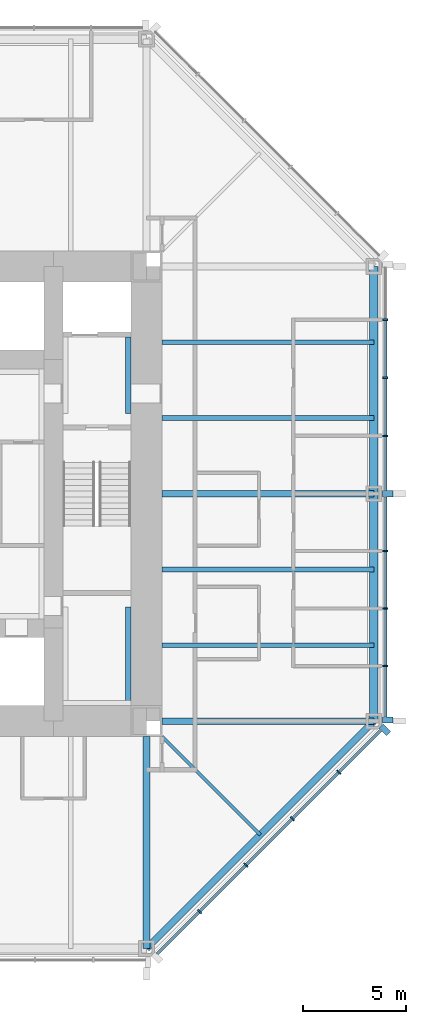
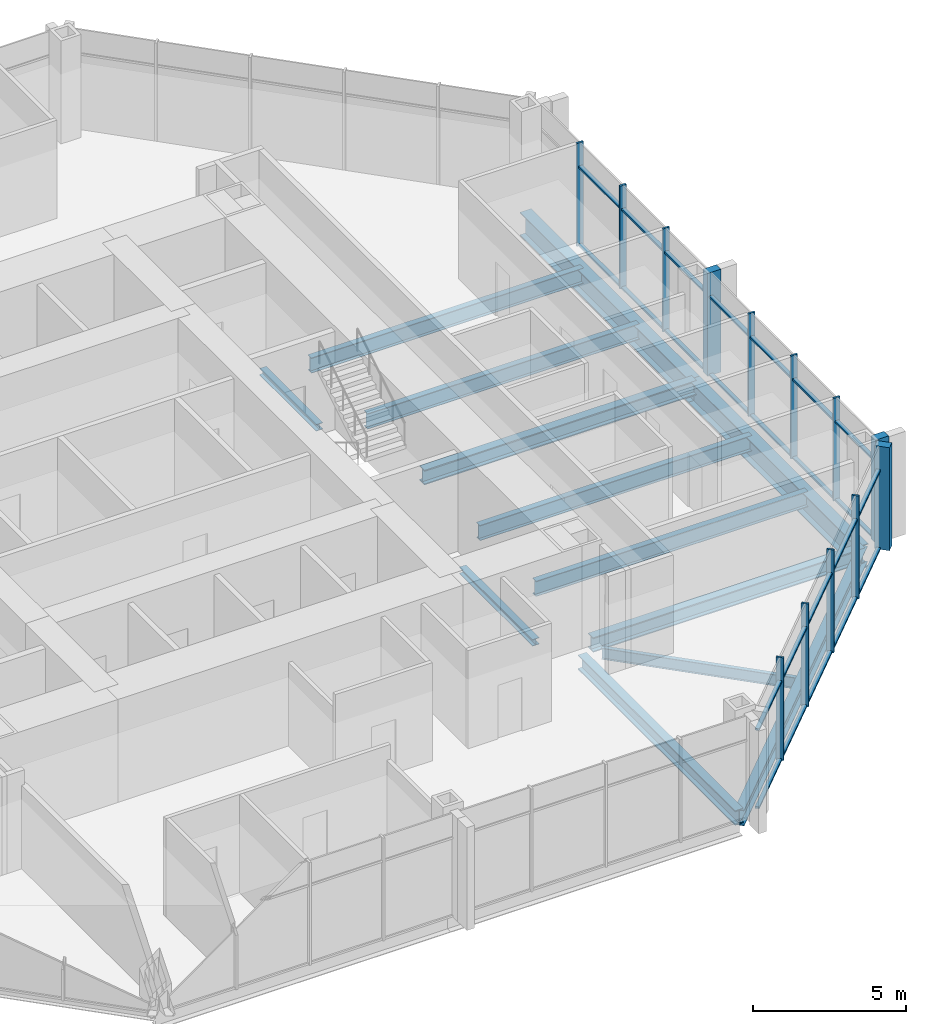
# One storey, part 4 of 12: 37 members, 13 beams, 2 elements without a shape of their own.
"""IFC4 building model written with IfcOpenShell, lengths in metres."""

from ifc_helpers import new_model, si_unit, direction, frame, origin, origin_2d, place, context, subcontext, project, spatial, rectangle, i_section, extrude, material, material_profile, profile_set, type_object, element, aggregate, save


model = new_model("IFC4")

# Units and contexts
model_context = context("Model", 3, precision=1e-05, world=origin(), true_north=direction((0.0, 1.0)))
body_context = subcontext(model_context, "Body", "Model", "MODEL_VIEW")
ifc_project = project(units=[si_unit("LENGTHUNIT", "METRE"), si_unit("AREAUNIT", "SQUARE_METRE"), si_unit("VOLUMEUNIT", "CUBIC_METRE"), si_unit("PLANEANGLEUNIT", "RADIAN"), si_unit("MASSUNIT", "GRAM", prefix="KILO")], contexts=[model_context])

# Site, building, storey
site_placement = place(None, origin())
site = spatial("IfcSite", under=ifc_project, at=site_placement, CompositionType="ELEMENT")
building_placement = place(site_placement, origin())
building = spatial("IfcBuilding", under=site, at=building_placement, Name="Trevanion Tower", CompositionType="ELEMENT")
storey_placement = place(building_placement, frame((0.0, 0.0, 117.199951171875)))
storey = spatial("IfcBuildingStorey", under=building, at=storey_placement, Name="L27", CompositionType="ELEMENT", Elevation=117.199951171875)

# Beams
ifc_material_1 = material(Name="Steel ASTM A992 Grade 50", Category="steel")
ifc_material_profile_1 = material_profile(ifc_material_1, i_section(OverallWidth=0.22900390625, OverallDepth=0.612060546875, WebThickness=0.011962890625, FlangeThickness=0.01953125, at=origin_2d()), Name="W24X84")
ifc_profile_set_1 = profile_set([ifc_material_profile_1], Name="Steel ASTM A992 Grade 50")
beam_type_1 = type_object("IfcBeamType", Name="B7 W24X84", PredefinedType="BEAM", material=ifc_profile_set_1)
for number, where, z_axis, x_axis, name in (
    (1, (11.75, -7.333251953125, -0.49609375), (1.0, 0.0, 0.0), (0.0, 1.0, 0.0), "B7 L27"),
    (2, (11.75, -3.666748046875, -0.49609375), (1.0, 0.0, 0.0), (0.0, 1.0, 0.0), "B7 L27"),
    (3, (11.75, 3.666748046875, -0.49609375), (1.0, 0.0, 0.0), (0.0, 1.0, 0.0), "B7 L27"),
    (4, (11.75, 7.333251953125, -0.49609375), (1.0, 0.0, 0.0), (0.0, 1.0, 0.0), "B7 L27"),
):
    element("IfcBeam", number, at=place(storey_placement, frame(where, z_axis=z_axis, x_axis=x_axis)), inside=storey, type_object=beam_type_1, Name=name, PredefinedType="BEAM", context=body_context, shape_type="SweptSolid", body=[
        extrude(i_section(OverallWidth=0.22900390625, OverallDepth=0.612060546875, WebThickness=0.011962890625, FlangeThickness=0.01953125, at=origin_2d()), origin(), (0.0, 0.0, 1.0), 10.25),
    ])
ifc_material_2 = material(Name="Steel ASTM A992 Grade 50", Category="steel")
ifc_material_profile_2 = material_profile(ifc_material_2, i_section(OverallWidth=0.15234375, OverallDepth=0.449462890625, WebThickness=0.007568359375, FlangeThickness=0.0107421875, at=origin_2d()), Name="W18X35")
ifc_profile_set_2 = profile_set([ifc_material_profile_2], Name="Steel ASTM A992 Grade 50")
beam_type_2 = type_object("IfcBeamType", Name="B8 W18X35", PredefinedType="BEAM", material=ifc_profile_set_2)
beam_1_placement = place(storey_placement, frame((11.75, -11.75, -0.414794921875), z_axis=(0.707106781187, -0.707106781187, 0.0), x_axis=(0.707106781187, 0.707106781187, 0.0)))
element("IfcBeam", 5, at=beam_1_placement, inside=storey, type_object=beam_type_2, Name="B8 L27", PredefinedType="BEAM", context=body_context, shape_type="SweptSolid", body=[
    extrude(i_section(OverallWidth=0.15234375, OverallDepth=0.449462890625, WebThickness=0.007568359375, FlangeThickness=0.0107421875, at=origin_2d()), origin(), (0.0, 0.0, 1.0), 6.717529296875),
])

# Curtain wall, members
ifc_material_3 = material(Name="Aluminium and glass", Category="aluminium")
curtain_wall_type = type_object("IfcCurtainWallType", Name="CW2 curtain wall", PredefinedType="USERDEFINED", material=ifc_material_3)
curtain_wall_1_placement = place(storey_placement, origin())
curtain_wall_1 = element("IfcCurtainWall", 6, at=curtain_wall_1_placement, inside=storey, type_object=curtain_wall_type, Name="CW2 L27 0", ObjectType="UNITISED CURTAIN WALL", PredefinedType="USERDEFINED")
ifc_material_4 = material(Name="Aluminium extrusion, anodised bronze", Category="aluminium")
ifc_material_profile_3 = material_profile(ifc_material_4, rectangle(XDim=0.074951171875, YDim=0.25, at=origin_2d()), Name="CW2 mullion")
ifc_profile_set_3 = profile_set([ifc_material_profile_3], Name="Aluminium extrusion, anodised bronze")
member_type_1 = type_object("IfcMemberType", Name="CW2 mullion", PredefinedType="MULLION", material=ifc_profile_set_3)
member_1_placement = place(storey_placement, frame((22.550048828125, -8.323486328125, -0.18994140625), z_axis=(0.0, 0.0, 1.0), x_axis=(0.0, 1.0, 0.0)))
member_1 = element("IfcMember", 7, at=member_1_placement, type_object=member_type_1, Name="CW2 mullion 2", PredefinedType="MULLION", context=body_context, shape_type="SweptSolid", body=[
    extrude(rectangle(XDim=0.074951171875, YDim=0.25, at=origin_2d()), origin(), (0.0, 0.0, 1.0), 4.10009765625),
])
member_2_placement = place(storey_placement, frame((22.550048828125, -5.548828125, -0.18994140625), z_axis=(0.0, 0.0, 1.0), x_axis=(0.0, 1.0, 0.0)))
member_2 = element("IfcMember", 8, at=member_2_placement, type_object=member_type_1, Name="CW2 mullion 3", PredefinedType="MULLION", context=body_context, shape_type="SweptSolid", body=[
    extrude(rectangle(XDim=0.074951171875, YDim=0.25, at=origin_2d()), origin(), (0.0, 0.0, 1.0), 4.10009765625),
])
member_3_placement = place(storey_placement, frame((22.550048828125, -2.7744140625, -0.18994140625), z_axis=(0.0, 0.0, 1.0), x_axis=(0.0, 1.0, 0.0)))
member_3 = element("IfcMember", 9, at=member_3_placement, type_object=member_type_1, Name="CW2 mullion 4", PredefinedType="MULLION", context=body_context, shape_type="SweptSolid", body=[
    extrude(rectangle(XDim=0.074951171875, YDim=0.25, at=origin_2d()), origin(), (0.0, 0.0, 1.0), 4.10009765625),
])
member_4_placement = place(storey_placement, frame((22.550048828125, 2.806884765625, -0.18994140625), z_axis=(0.0, 0.0, 1.0), x_axis=(0.0, 1.0, 0.0)))
member_4 = element("IfcMember", 10, at=member_4_placement, type_object=member_type_1, Name="CW2 mullion 6", PredefinedType="MULLION", context=body_context, shape_type="SweptSolid", body=[
    extrude(rectangle(XDim=0.074951171875, YDim=0.25, at=origin_2d()), origin(), (0.0, 0.0, 1.0), 4.10009765625),
])
member_5_placement = place(storey_placement, frame((22.550048828125, 5.614013671875, -0.18994140625), z_axis=(0.0, 0.0, 1.0), x_axis=(0.0, 1.0, 0.0)))
member_5 = element("IfcMember", 11, at=member_5_placement, type_object=member_type_1, Name="CW2 mullion 7", PredefinedType="MULLION", context=body_context, shape_type="SweptSolid", body=[
    extrude(rectangle(XDim=0.074951171875, YDim=0.25, at=origin_2d()), origin(), (0.0, 0.0, 1.0), 4.10009765625),
])
member_6_placement = place(storey_placement, frame((22.550048828125, 8.4208984375, -0.18994140625), z_axis=(0.0, 0.0, 1.0), x_axis=(0.0, 1.0, 0.0)))
member_6 = element("IfcMember", 12, at=member_6_placement, type_object=member_type_1, Name="CW2 mullion 8", PredefinedType="MULLION", context=body_context, shape_type="SweptSolid", body=[
    extrude(rectangle(XDim=0.074951171875, YDim=0.25, at=origin_2d()), origin(), (0.0, 0.0, 1.0), 4.10009765625),
])

curtain_wall_2_placement = place(storey_placement, origin())
curtain_wall_2 = element("IfcCurtainWall", 13, at=curtain_wall_2_placement, inside=storey, type_object=curtain_wall_type, Name="CW2 L27 7", ObjectType="UNITISED CURTAIN WALL", PredefinedType="USERDEFINED")
member_7_placement = place(storey_placement, frame((13.56591796875, -20.2119140625, -0.18994140625), z_axis=(0.0, 0.0, 1.0), x_axis=(0.707106781187, 0.707106781187, 0.0)))
member_7 = element("IfcMember", 14, at=member_7_placement, type_object=member_type_1, Name="CW2 mullion 2", PredefinedType="MULLION", context=body_context, shape_type="SweptSolid", body=[
    extrude(rectangle(XDim=0.074951171875, YDim=0.25, at=origin_2d()), origin(), (0.0, 0.0, 1.0), 4.10009765625),
])
member_8_placement = place(storey_placement, frame((15.811767578125, -17.966064453125, -0.18994140625), z_axis=(0.0, 0.0, 1.0), x_axis=(0.707106781187, 0.707106781187, 0.0)))
member_8 = element("IfcMember", 15, at=member_8_placement, type_object=member_type_1, Name="CW2 mullion 3", PredefinedType="MULLION", context=body_context, shape_type="SweptSolid", body=[
    extrude(rectangle(XDim=0.074951171875, YDim=0.25, at=origin_2d()), origin(), (0.0, 0.0, 1.0), 4.10009765625),
])
member_9_placement = place(storey_placement, frame((18.057861328125, -15.719970703125, -0.18994140625), z_axis=(0.0, 0.0, 1.0), x_axis=(0.707106781187, 0.707106781187, 0.0)))
member_9 = element("IfcMember", 16, at=member_9_placement, type_object=member_type_1, Name="CW2 mullion 4", PredefinedType="MULLION", context=body_context, shape_type="SweptSolid", body=[
    extrude(rectangle(XDim=0.074951171875, YDim=0.25, at=origin_2d()), origin(), (0.0, 0.0, 1.0), 4.10009765625),
])
member_10_placement = place(storey_placement, frame((20.303955078125, -13.473876953125, -0.18994140625), z_axis=(0.0, 0.0, 1.0), x_axis=(0.707106781187, 0.707106781187, 0.0)))
member_10 = element("IfcMember", 17, at=member_10_placement, type_object=member_type_1, Name="CW2 mullion 5", PredefinedType="MULLION", context=body_context, shape_type="SweptSolid", body=[
    extrude(rectangle(XDim=0.074951171875, YDim=0.25, at=origin_2d()), origin(), (0.0, 0.0, 1.0), 4.10009765625),
])

# Member
ifc_material_5 = material(Name="Aluminium extrusion, anodised bronze", Category="aluminium")
ifc_material_profile_4 = material_profile(ifc_material_5, rectangle(XDim=0.300048828125, YDim=0.5, at=origin_2d()), Name="CW2 pier mullion")
ifc_profile_set_4 = profile_set([ifc_material_profile_4], Name="Aluminium extrusion, anodised bronze")
member_type_2 = type_object("IfcMemberType", Name="CW2 pier mullion", PredefinedType="MULLION", material=ifc_profile_set_4)
member_11_placement = place(storey_placement, frame((22.675048828125, -10.94775390625, -0.18994140625), z_axis=(0.0, 0.0, 1.0), x_axis=(0.0, 1.0, 0.0)))
member_11 = element("IfcMember", 18, at=member_11_placement, type_object=member_type_2, Name="CW2 pier mullion 1", PredefinedType="MULLION", context=body_context, shape_type="SweptSolid", body=[
    extrude(rectangle(XDim=0.300048828125, YDim=0.5, at=origin_2d()), origin(), (0.0, 0.0, 1.0), 4.10009765625),
])

member_12_placement = place(storey_placement, frame((22.675048828125, 0.0, -0.18994140625), z_axis=(0.0, 0.0, 1.0), x_axis=(0.0, 1.0, 0.0)))
member_12 = element("IfcMember", 19, at=member_12_placement, type_object=member_type_2, Name="CW2 pier mullion 5", PredefinedType="MULLION", context=body_context, shape_type="SweptSolid", body=[
    extrude(rectangle(XDim=0.300048828125, YDim=0.5, at=origin_2d()), origin(), (0.0, 0.0, 1.0), 4.10009765625),
])

member_13_placement = place(storey_placement, frame((22.5322265625, -11.42236328125, -0.18994140625), z_axis=(0.0, 0.0, 1.0), x_axis=(0.707106781187, 0.707106781187, 0.0)))
member_13 = element("IfcMember", 20, at=member_13_placement, type_object=member_type_2, Name="CW2 pier mullion 6", PredefinedType="MULLION", context=body_context, shape_type="SweptSolid", body=[
    extrude(rectangle(XDim=0.300048828125, YDim=0.5, at=origin_2d()), origin(), (0.0, 0.0, 1.0), 4.10009765625),
])

ifc_material_6 = material(Name="Aluminium extrusion, anodised bronze", Category="aluminium")
ifc_material_profile_5 = material_profile(ifc_material_6, rectangle(XDim=0.14990234375, YDim=0.074951171875, at=origin_2d()), Name="CW2 transom")
ifc_profile_set_5 = profile_set([ifc_material_profile_5], Name="Aluminium extrusion, anodised bronze")
member_type_3 = type_object("IfcMemberType", Name="CW2 transom", PredefinedType="USERDEFINED", material=ifc_profile_set_5)
member_14_placement = place(storey_placement, frame((22.550048828125, -10.7978515625, -0.15234375), z_axis=(0.0, 1.0, 0.0), x_axis=(-1.0, 0.0, 0.0)))
member_14 = element("IfcMember", 21, at=member_14_placement, type_object=member_type_3, Name="CW2 transom 1.1", ObjectType="TRANSOM", PredefinedType="USERDEFINED", context=body_context, shape_type="SweptSolid", body=[
    extrude(rectangle(XDim=0.14990234375, YDim=0.074951171875, at=origin_2d()), origin(), (0.0, 0.0, 1.0), 2.43701171875),
])

member_15_placement = place(storey_placement, frame((22.550048828125, -10.7978515625, 2.9599609375), z_axis=(0.0, 1.0, 0.0), x_axis=(-1.0, 0.0, 0.0)))
member_15 = element("IfcMember", 22, at=member_15_placement, type_object=member_type_3, Name="CW2 transom 1.2", ObjectType="TRANSOM", PredefinedType="USERDEFINED", context=body_context, shape_type="SweptSolid", body=[
    extrude(rectangle(XDim=0.14990234375, YDim=0.074951171875, at=origin_2d()), origin(), (0.0, 0.0, 1.0), 2.43701171875),
])

member_16_placement = place(storey_placement, frame((22.550048828125, -8.285888671875, -0.15234375), z_axis=(0.0, 1.0, 0.0), x_axis=(-1.0, 0.0, 0.0)))
member_16 = element("IfcMember", 23, at=member_16_placement, type_object=member_type_3, Name="CW2 transom 2.1", ObjectType="TRANSOM", PredefinedType="USERDEFINED", context=body_context, shape_type="SweptSolid", body=[
    extrude(rectangle(XDim=0.14990234375, YDim=0.074951171875, at=origin_2d()), origin(), (0.0, 0.0, 1.0), 2.699462890625),
])

member_17_placement = place(storey_placement, frame((22.550048828125, -8.285888671875, 2.9599609375), z_axis=(0.0, 1.0, 0.0), x_axis=(-1.0, 0.0, 0.0)))
member_17 = element("IfcMember", 24, at=member_17_placement, type_object=member_type_3, Name="CW2 transom 2.2", ObjectType="TRANSOM", PredefinedType="USERDEFINED", context=body_context, shape_type="SweptSolid", body=[
    extrude(rectangle(XDim=0.14990234375, YDim=0.074951171875, at=origin_2d()), origin(), (0.0, 0.0, 1.0), 2.699462890625),
])

member_18_placement = place(storey_placement, frame((22.550048828125, -5.511474609375, -0.15234375), z_axis=(0.0, 1.0, 0.0), x_axis=(-1.0, 0.0, 0.0)))
member_18 = element("IfcMember", 25, at=member_18_placement, type_object=member_type_3, Name="CW2 transom 3.1", ObjectType="TRANSOM", PredefinedType="USERDEFINED", context=body_context, shape_type="SweptSolid", body=[
    extrude(rectangle(XDim=0.14990234375, YDim=0.074951171875, at=origin_2d()), origin(), (0.0, 0.0, 1.0), 2.699462890625),
])

member_19_placement = place(storey_placement, frame((22.550048828125, -5.511474609375, 2.9599609375), z_axis=(0.0, 1.0, 0.0), x_axis=(-1.0, 0.0, 0.0)))
member_19 = element("IfcMember", 26, at=member_19_placement, type_object=member_type_3, Name="CW2 transom 3.2", ObjectType="TRANSOM", PredefinedType="USERDEFINED", context=body_context, shape_type="SweptSolid", body=[
    extrude(rectangle(XDim=0.14990234375, YDim=0.074951171875, at=origin_2d()), origin(), (0.0, 0.0, 1.0), 2.699462890625),
])

member_20_placement = place(storey_placement, frame((22.550048828125, -2.737060546875, -0.15234375), z_axis=(0.0, 1.0, 0.0), x_axis=(-1.0, 0.0, 0.0)))
member_20 = element("IfcMember", 27, at=member_20_placement, type_object=member_type_3, Name="CW2 transom 4.1", ObjectType="TRANSOM", PredefinedType="USERDEFINED", context=body_context, shape_type="SweptSolid", body=[
    extrude(rectangle(XDim=0.14990234375, YDim=0.074951171875, at=origin_2d()), origin(), (0.0, 0.0, 1.0), 2.587158203125),
])

member_21_placement = place(storey_placement, frame((22.550048828125, -2.737060546875, 2.9599609375), z_axis=(0.0, 1.0, 0.0), x_axis=(-1.0, 0.0, 0.0)))
member_21 = element("IfcMember", 28, at=member_21_placement, type_object=member_type_3, Name="CW2 transom 4.2", ObjectType="TRANSOM", PredefinedType="USERDEFINED", context=body_context, shape_type="SweptSolid", body=[
    extrude(rectangle(XDim=0.14990234375, YDim=0.074951171875, at=origin_2d()), origin(), (0.0, 0.0, 1.0), 2.587158203125),
])

member_22_placement = place(storey_placement, frame((22.550048828125, 0.14990234375, -0.15234375), z_axis=(0.0, 1.0, 0.0), x_axis=(-1.0, 0.0, 0.0)))
member_22 = element("IfcMember", 29, at=member_22_placement, type_object=member_type_3, Name="CW2 transom 5.1", ObjectType="TRANSOM", PredefinedType="USERDEFINED", context=body_context, shape_type="SweptSolid", body=[
    extrude(rectangle(XDim=0.14990234375, YDim=0.074951171875, at=origin_2d()), origin(), (0.0, 0.0, 1.0), 2.619384765625),
])

member_23_placement = place(storey_placement, frame((22.550048828125, 0.14990234375, 2.9599609375), z_axis=(0.0, 1.0, 0.0), x_axis=(-1.0, 0.0, 0.0)))
member_23 = element("IfcMember", 30, at=member_23_placement, type_object=member_type_3, Name="CW2 transom 5.2", ObjectType="TRANSOM", PredefinedType="USERDEFINED", context=body_context, shape_type="SweptSolid", body=[
    extrude(rectangle(XDim=0.14990234375, YDim=0.074951171875, at=origin_2d()), origin(), (0.0, 0.0, 1.0), 2.619384765625),
])

member_24_placement = place(storey_placement, frame((22.550048828125, 2.844482421875, -0.15234375), z_axis=(0.0, 1.0, 0.0), x_axis=(-1.0, 0.0, 0.0)))
member_24 = element("IfcMember", 31, at=member_24_placement, type_object=member_type_3, Name="CW2 transom 6.1", ObjectType="TRANSOM", PredefinedType="USERDEFINED", context=body_context, shape_type="SweptSolid", body=[
    extrude(rectangle(XDim=0.14990234375, YDim=0.074951171875, at=origin_2d()), origin(), (0.0, 0.0, 1.0), 2.73193359375),
])

member_25_placement = place(storey_placement, frame((22.550048828125, 2.844482421875, 2.9599609375), z_axis=(0.0, 1.0, 0.0), x_axis=(-1.0, 0.0, 0.0)))
member_25 = element("IfcMember", 32, at=member_25_placement, type_object=member_type_3, Name="CW2 transom 6.2", ObjectType="TRANSOM", PredefinedType="USERDEFINED", context=body_context, shape_type="SweptSolid", body=[
    extrude(rectangle(XDim=0.14990234375, YDim=0.074951171875, at=origin_2d()), origin(), (0.0, 0.0, 1.0), 2.73193359375),
])

member_26_placement = place(storey_placement, frame((22.550048828125, 5.6513671875, -0.15234375), z_axis=(0.0, 1.0, 0.0), x_axis=(-1.0, 0.0, 0.0)))
member_26 = element("IfcMember", 33, at=member_26_placement, type_object=member_type_3, Name="CW2 transom 7.1", ObjectType="TRANSOM", PredefinedType="USERDEFINED", context=body_context, shape_type="SweptSolid", body=[
    extrude(rectangle(XDim=0.14990234375, YDim=0.074951171875, at=origin_2d()), origin(), (0.0, 0.0, 1.0), 2.73193359375),
])

member_27_placement = place(storey_placement, frame((22.550048828125, 5.6513671875, 2.9599609375), z_axis=(0.0, 1.0, 0.0), x_axis=(-1.0, 0.0, 0.0)))
member_27 = element("IfcMember", 34, at=member_27_placement, type_object=member_type_3, Name="CW2 transom 7.2", ObjectType="TRANSOM", PredefinedType="USERDEFINED", context=body_context, shape_type="SweptSolid", body=[
    extrude(rectangle(XDim=0.14990234375, YDim=0.074951171875, at=origin_2d()), origin(), (0.0, 0.0, 1.0), 2.73193359375),
])

aggregate(curtain_wall_1, [member_11, member_1, member_2, member_3, member_12, member_4, member_5, member_6, member_14, member_15, member_16, member_17, member_18, member_19, member_20, member_21, member_22, member_23, member_24, member_25, member_26, member_27])

member_28_placement = place(storey_placement, frame((11.531982421875, -22.245849609375, -0.15234375), z_axis=(0.707106781187, 0.707106781187, 0.0), x_axis=(-0.707106781187, 0.707106781187, 0.0)))
member_28 = element("IfcMember", 35, at=member_28_placement, type_object=member_type_3, Name="CW2 transom 1.1", ObjectType="TRANSOM", PredefinedType="USERDEFINED", context=body_context, shape_type="SweptSolid", body=[
    extrude(rectangle(XDim=0.14990234375, YDim=0.074951171875, at=origin_2d()), origin(), (0.0, 0.0, 1.0), 2.8388671875),
])

member_29_placement = place(storey_placement, frame((11.531982421875, -22.245849609375, 2.9599609375), z_axis=(0.707106781187, 0.707106781187, 0.0), x_axis=(-0.707106781187, 0.707106781187, 0.0)))
member_29 = element("IfcMember", 36, at=member_29_placement, type_object=member_type_3, Name="CW2 transom 1.2", ObjectType="TRANSOM", PredefinedType="USERDEFINED", context=body_context, shape_type="SweptSolid", body=[
    extrude(rectangle(XDim=0.14990234375, YDim=0.074951171875, at=origin_2d()), origin(), (0.0, 0.0, 1.0), 2.8388671875),
])

member_30_placement = place(storey_placement, frame((13.59228515625, -20.185546875, -0.15234375), z_axis=(0.707106781187, 0.707106781187, 0.0), x_axis=(-0.707106781187, 0.707106781187, 0.0)))
member_30 = element("IfcMember", 37, at=member_30_placement, type_object=member_type_3, Name="CW2 transom 2.1", ObjectType="TRANSOM", PredefinedType="USERDEFINED", context=body_context, shape_type="SweptSolid", body=[
    extrude(rectangle(XDim=0.14990234375, YDim=0.074951171875, at=origin_2d()), origin(), (0.0, 0.0, 1.0), 3.1015625),
])

member_31_placement = place(storey_placement, frame((13.59228515625, -20.185546875, 2.9599609375), z_axis=(0.707106781187, 0.707106781187, 0.0), x_axis=(-0.707106781187, 0.707106781187, 0.0)))
member_31 = element("IfcMember", 38, at=member_31_placement, type_object=member_type_3, Name="CW2 transom 2.2", ObjectType="TRANSOM", PredefinedType="USERDEFINED", context=body_context, shape_type="SweptSolid", body=[
    extrude(rectangle(XDim=0.14990234375, YDim=0.074951171875, at=origin_2d()), origin(), (0.0, 0.0, 1.0), 3.1015625),
])

member_32_placement = place(storey_placement, frame((15.83837890625, -17.939453125, -0.15234375), z_axis=(0.707106781187, 0.707106781187, 0.0), x_axis=(-0.707106781187, 0.707106781187, 0.0)))
member_32 = element("IfcMember", 39, at=member_32_placement, type_object=member_type_3, Name="CW2 transom 3.1", ObjectType="TRANSOM", PredefinedType="USERDEFINED", context=body_context, shape_type="SweptSolid", body=[
    extrude(rectangle(XDim=0.14990234375, YDim=0.074951171875, at=origin_2d()), origin(), (0.0, 0.0, 1.0), 3.1015625),
])

member_33_placement = place(storey_placement, frame((15.83837890625, -17.939453125, 2.9599609375), z_axis=(0.707106781187, 0.707106781187, 0.0), x_axis=(-0.707106781187, 0.707106781187, 0.0)))
member_33 = element("IfcMember", 40, at=member_33_placement, type_object=member_type_3, Name="CW2 transom 3.2", ObjectType="TRANSOM", PredefinedType="USERDEFINED", context=body_context, shape_type="SweptSolid", body=[
    extrude(rectangle(XDim=0.14990234375, YDim=0.074951171875, at=origin_2d()), origin(), (0.0, 0.0, 1.0), 3.1015625),
])

member_34_placement = place(storey_placement, frame((18.08447265625, -15.693359375, -0.15234375), z_axis=(0.707106781187, 0.707106781187, 0.0), x_axis=(-0.707106781187, 0.707106781187, 0.0)))
member_34 = element("IfcMember", 41, at=member_34_placement, type_object=member_type_3, Name="CW2 transom 4.1", ObjectType="TRANSOM", PredefinedType="USERDEFINED", context=body_context, shape_type="SweptSolid", body=[
    extrude(rectangle(XDim=0.14990234375, YDim=0.074951171875, at=origin_2d()), origin(), (0.0, 0.0, 1.0), 3.10107421875),
])

member_35_placement = place(storey_placement, frame((18.08447265625, -15.693359375, 2.9599609375), z_axis=(0.707106781187, 0.707106781187, 0.0), x_axis=(-0.707106781187, 0.707106781187, 0.0)))
member_35 = element("IfcMember", 42, at=member_35_placement, type_object=member_type_3, Name="CW2 transom 4.2", ObjectType="TRANSOM", PredefinedType="USERDEFINED", context=body_context, shape_type="SweptSolid", body=[
    extrude(rectangle(XDim=0.14990234375, YDim=0.074951171875, at=origin_2d()), origin(), (0.0, 0.0, 1.0), 3.10107421875),
])

member_36_placement = place(storey_placement, frame((20.33056640625, -13.447509765625, -0.15234375), z_axis=(0.707063781595, 0.707149778163, 0.0), x_axis=(-0.707149778163, 0.707063781595, 0.0)))
member_36 = element("IfcMember", 43, at=member_36_placement, type_object=member_type_3, Name="CW2 transom 5.1", ObjectType="TRANSOM", PredefinedType="USERDEFINED", context=body_context, shape_type="SweptSolid", body=[
    extrude(rectangle(XDim=0.14990234375, YDim=0.074951171875, at=origin_2d()), origin(), (0.0, 0.0, 1.0), 2.8388671875),
])

member_37_placement = place(storey_placement, frame((20.33056640625, -13.447509765625, 2.9599609375), z_axis=(0.707063781595, 0.707149778163, 0.0), x_axis=(-0.707149778163, 0.707063781595, 0.0)))
member_37 = element("IfcMember", 44, at=member_37_placement, type_object=member_type_3, Name="CW2 transom 5.2", ObjectType="TRANSOM", PredefinedType="USERDEFINED", context=body_context, shape_type="SweptSolid", body=[
    extrude(rectangle(XDim=0.14990234375, YDim=0.074951171875, at=origin_2d()), origin(), (0.0, 0.0, 1.0), 2.8388671875),
])

aggregate(curtain_wall_2, [member_7, member_8, member_9, member_10, member_13, member_28, member_29, member_30, member_31, member_32, member_33, member_34, member_35, member_36, member_37])

# Beams
ifc_material_7 = material(Name="Steel ASTM A992 Grade 50", Category="steel")
ifc_material_profile_6 = material_profile(ifc_material_7, i_section(OverallWidth=0.320068359375, OverallDepth=0.584228515625, WebThickness=0.023193359375, FlangeThickness=0.04150390625, at=origin_2d()), Name="W21X201")
ifc_profile_set_6 = profile_set([ifc_material_profile_6], Name="Steel ASTM A992 Grade 50")
beam_type_3 = type_object("IfcBeamType", Name="G4 W21X201", PredefinedType="BEAM", material=ifc_profile_set_6)
for number, where, z_axis, x_axis, name in (
    (45, (11.75, -11.0, -0.48193359375), (1.0, 0.0, 0.0), (0.0, 1.0, 0.0), "G4 L27"),
    (46, (11.75, 0.0, -0.48193359375), (1.0, 0.0, 0.0), (0.0, 1.0, 0.0), "G4 L27"),
    (47, (11.0, -11.75, -0.48193359375), (0.0, -1.0, 0.0), (1.0, 0.0, 0.0), "G4 L27"),
):
    element("IfcBeam", number, at=place(storey_placement, frame(where, z_axis=z_axis, x_axis=x_axis)), inside=storey, type_object=beam_type_3, Name=name, PredefinedType="BEAM", context=body_context, shape_type="SweptSolid", body=[
        extrude(i_section(OverallWidth=0.320068359375, OverallDepth=0.584228515625, WebThickness=0.023193359375, FlangeThickness=0.04150390625, at=origin_2d()), origin(), (0.0, 0.0, 1.0), 10.25),
    ])
ifc_material_8 = material(Name="Steel ASTM A992 Grade 50", Category="steel")
ifc_material_profile_7 = material_profile(ifc_material_8, i_section(OverallWidth=0.256591796875, OverallDepth=0.26416015625, WebThickness=0.011962890625, FlangeThickness=0.01953125, at=origin_2d()), Name="W10X68")
ifc_profile_set_7 = profile_set([ifc_material_profile_7], Name="Steel ASTM A992 Grade 50")
beam_type_4 = type_object("IfcBeamType", Name="LB1 W10X68", PredefinedType="BEAM", material=ifc_profile_set_7)
beam_2_placement = place(storey_placement, frame((10.12158203125, 3.875, -0.33203125), z_axis=(0.0, 1.0, 0.0), x_axis=(-1.0, 0.0, 0.0)))
element("IfcBeam", 48, at=beam_2_placement, inside=storey, type_object=beam_type_4, Name="LB1 L27", PredefinedType="BEAM", context=body_context, shape_type="SweptSolid", body=[
    extrude(i_section(OverallWidth=0.256591796875, OverallDepth=0.26416015625, WebThickness=0.011962890625, FlangeThickness=0.01953125, at=origin_2d()), origin(), (0.0, 0.0, 1.0), 3.699951171875),
])
beam_3_placement = place(storey_placement, frame((10.12158203125, -10.25, -0.33203125), z_axis=(0.0, 1.0, 0.0), x_axis=(-1.0, 0.0, 0.0)))
element("IfcBeam", 49, at=beam_3_placement, inside=storey, type_object=beam_type_4, Name="LB1 L27", PredefinedType="BEAM", context=body_context, shape_type="SweptSolid", body=[
    extrude(i_section(OverallWidth=0.256591796875, OverallDepth=0.26416015625, WebThickness=0.011962890625, FlangeThickness=0.01953125, at=origin_2d()), origin(), (0.0, 0.0, 1.0), 4.77490234375),
])
ifc_material_9 = material(Name="Steel ASTM A992 Grade 50", Category="steel")
ifc_material_profile_8 = material_profile(ifc_material_9, i_section(OverallWidth=0.419189453125, OverallDepth=0.927001953125, WebThickness=0.019287109375, FlangeThickness=0.031982421875, at=origin_2d()), Name="W36X231")
ifc_profile_set_8 = profile_set([ifc_material_profile_8], Name="Steel ASTM A992 Grade 50")
beam_type_5 = type_object("IfcBeamType", Name="SB4 W36X231", PredefinedType="SPANDREL", material=ifc_profile_set_8)
for number, where, z_axis, x_axis, name in (
    (50, (22.0, -11.0, -0.653564453125), (0.0, 1.0, 0.0), (-1.0, 0.0, 0.0), "SB4 L27"),
    (51, (22.0, 0.0, -0.653564453125), (0.0, 1.0, 0.0), (-1.0, 0.0, 0.0), "SB4 L27"),
):
    element("IfcBeam", number, at=place(storey_placement, frame(where, z_axis=z_axis, x_axis=x_axis)), inside=storey, type_object=beam_type_5, Name=name, PredefinedType="SPANDREL", context=body_context, shape_type="SweptSolid", body=[
        extrude(i_section(OverallWidth=0.419189453125, OverallDepth=0.927001953125, WebThickness=0.019287109375, FlangeThickness=0.031982421875, at=origin_2d()), origin(), (0.0, 0.0, 1.0), 11.0),
    ])
ifc_material_10 = material(Name="Steel ASTM A992 Grade 50", Category="steel")
ifc_material_profile_9 = material_profile(ifc_material_10, i_section(OverallWidth=0.32763671875, OverallDepth=0.62744140625, WebThickness=0.0166015625, FlangeThickness=0.027587890625, at=origin_2d()), Name="W24X146")
ifc_profile_set_9 = profile_set([ifc_material_profile_9], Name="Steel ASTM A992 Grade 50")
beam_type_6 = type_object("IfcBeamType", Name="SB5 W24X146", PredefinedType="SPANDREL", material=ifc_profile_set_9)
beam_4_placement = place(storey_placement, frame((11.0, -22.0, -0.503662109375), z_axis=(0.707106781187, 0.707106781187, 0.0), x_axis=(-0.707106781187, 0.707106781187, 0.0)))
element("IfcBeam", 52, at=beam_4_placement, inside=storey, type_object=beam_type_6, Name="SB5 L27", PredefinedType="SPANDREL", context=body_context, shape_type="SweptSolid", body=[
    extrude(i_section(OverallWidth=0.32763671875, OverallDepth=0.62744140625, WebThickness=0.0166015625, FlangeThickness=0.027587890625, at=origin_2d()), origin(), (0.0, 0.0, 1.0), 15.556396484375),
])

save(model, "model.ifc")
